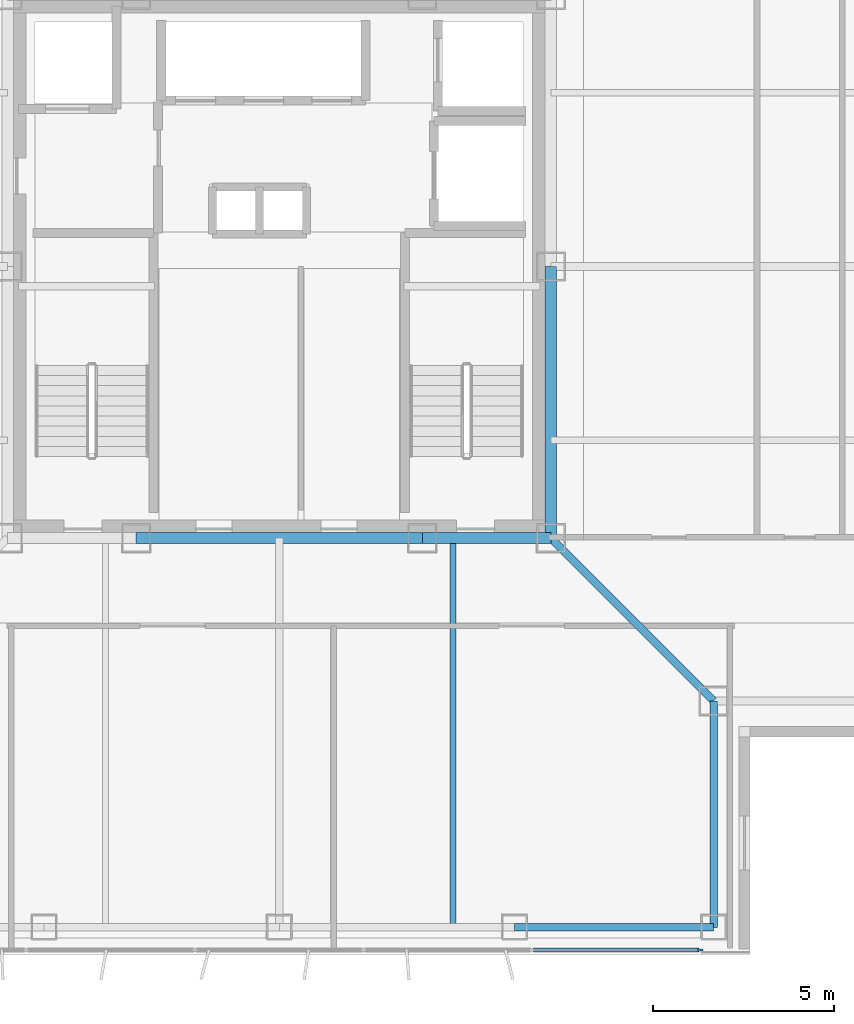
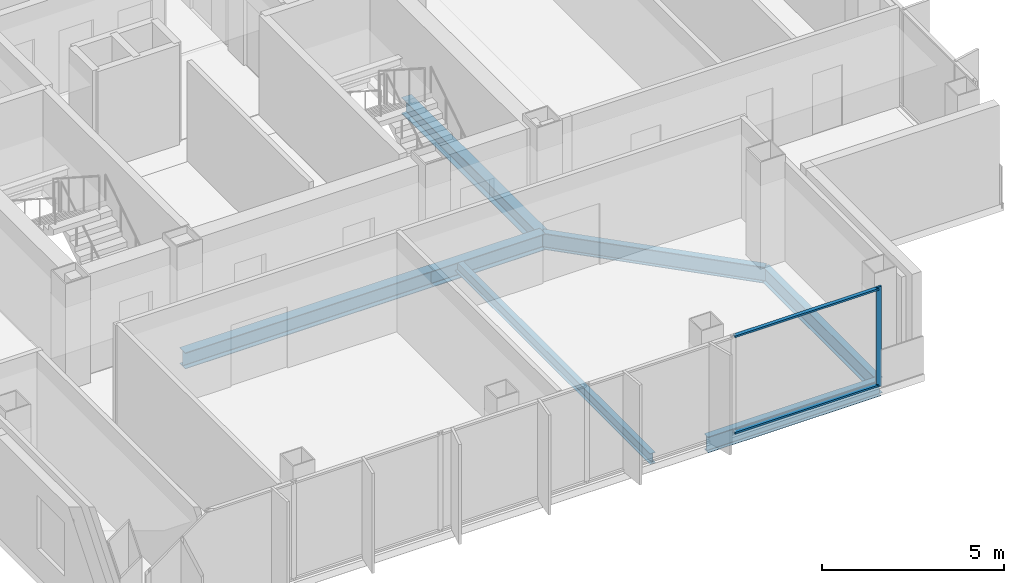
# One storey, part 3 of 15: 7 beams, 3 members, 1 element without a shape of its own.
"""IFC4 building model written with IfcOpenShell, lengths in metres."""

from ifc_helpers import new_model, si_unit, direction, frame, origin, origin_2d, place, context, subcontext, project, spatial, rectangle, i_section, extrude, material, layer, layer_set, material_profile, profile_set, type_object, element, aggregate, save


model = new_model("IFC4")

# Units and contexts
model_context = context("Model", 3, precision=1e-05, world=origin(), true_north=direction((0.0, 1.0)))
body_context = subcontext(model_context, "Body", "Model", "MODEL_VIEW")
ifc_project = project(units=[si_unit("LENGTHUNIT", "METRE"), si_unit("AREAUNIT", "SQUARE_METRE"), si_unit("VOLUMEUNIT", "CUBIC_METRE"), si_unit("PLANEANGLEUNIT", "RADIAN"), si_unit("MASSUNIT", "GRAM", prefix="KILO")], contexts=[model_context])

# Site, building, storey
site_placement = place(None, origin())
site = spatial("IfcSite", under=ifc_project, at=site_placement, CompositionType="ELEMENT")
building_placement = place(site_placement, origin())
building = spatial("IfcBuilding", under=site, at=building_placement, Name="Trevonay Congress Spire", CompositionType="ELEMENT")
storey_placement = place(building_placement, frame((0.0, 0.0, 272.0)))
storey = spatial("IfcBuildingStorey", under=building, at=storey_placement, Name="L71", CompositionType="ELEMENT", Elevation=272.0)

# Beams
ifc_material_1 = material(Name="Steel ASTM A572 Grade 50", Category="steel")
ifc_material_profile_1 = material_profile(ifc_material_1, i_section(OverallWidth=0.2119140625, OverallDepth=0.5439453125, WebThickness=0.01318359375, FlangeThickness=0.021240234375, FilletRadius=0.014892578125, at=origin_2d()), Name="W530x123")
ifc_profile_set_1 = profile_set([ifc_material_profile_1], Name="Steel ASTM A572 Grade 50")
beam_type_1 = type_object("IfcBeamType", Name="BM-GIRD-W530X123", PredefinedType="BEAM", material=ifc_profile_set_1)
beam_1_placement = place(storey_placement, frame((7.5, -7.5, -0.511962890625), z_axis=(0.707106781187, -0.707106781187, 0.0), x_axis=(0.707106781187, 0.707106781187, 0.0)))
element("IfcBeam", 1, at=beam_1_placement, inside=storey, type_object=beam_type_1, Name="L71 structural beam BM-L71-CDSE", PredefinedType="BEAM", context=body_context, shape_type="SweptSolid", body=[
    extrude(i_section(OverallWidth=0.2119140625, OverallDepth=0.5439453125, WebThickness=0.01318359375, FlangeThickness=0.021240234375, FilletRadius=0.014892578125, at=origin_2d()), origin(), (0.0, 0.0, 1.0), 6.364013671875),
])
ifc_material_profile_2 = material_profile(ifc_material_1, i_section(OverallWidth=0.31201171875, OverallDepth=0.54296875, WebThickness=0.0126953125, FlangeThickness=0.020263671875, FilletRadius=0.014892578125, at=origin_2d()), Name="W530x150")
ifc_profile_set_2 = profile_set([ifc_material_profile_2], Name="Steel ASTM A572 Grade 50")
beam_type_2 = type_object("IfcBeamType", Name="BM-GIRD-W530X150", PredefinedType="BEAM", material=ifc_profile_set_2)
beam_2_placement = place(storey_placement, frame((-3.949951171875, -7.5, -0.511474609375), z_axis=(1.0, 0.0, 0.0), x_axis=(0.0, 1.0, 0.0)))
element("IfcBeam", 2, at=beam_2_placement, inside=storey, type_object=beam_type_2, Name="L71 structural beam BM-L71-CR-S2", PredefinedType="BEAM", context=body_context, shape_type="SweptSolid", body=[
    extrude(i_section(OverallWidth=0.31201171875, OverallDepth=0.54296875, WebThickness=0.0126953125, FlangeThickness=0.020263671875, FilletRadius=0.014892578125, at=origin_2d()), origin(), (0.0, 0.0, 1.0), 7.89990234375),
])
beam_3_placement = place(storey_placement, frame((3.949951171875, -7.5, -0.511474609375), z_axis=(1.0, 0.0, 0.0), x_axis=(0.0, 1.0, 0.0)))
element("IfcBeam", 3, at=beam_3_placement, inside=storey, type_object=beam_type_2, Name="L71 structural beam BM-L71-CR-S3", PredefinedType="BEAM", context=body_context, shape_type="SweptSolid", body=[
    extrude(i_section(OverallWidth=0.31201171875, OverallDepth=0.54296875, WebThickness=0.0126953125, FlangeThickness=0.020263671875, FilletRadius=0.014892578125, at=origin_2d()), origin(), (0.0, 0.0, 1.0), 3.550048828125),
])
beam_4_placement = place(storey_placement, frame((7.5, -7.5, -0.511474609375), z_axis=(0.0, 1.0, 0.0), x_axis=(-1.0, 0.0, 0.0)))
element("IfcBeam", 4, at=beam_4_placement, inside=storey, type_object=beam_type_2, Name="L71 structural beam BM-L71-CR-E1", PredefinedType="BEAM", context=body_context, shape_type="SweptSolid", body=[
    extrude(i_section(OverallWidth=0.31201171875, OverallDepth=0.54296875, WebThickness=0.0126953125, FlangeThickness=0.020263671875, FilletRadius=0.014892578125, at=origin_2d()), origin(), (0.0, 0.0, 1.0), 7.5),
])
ifc_material_profile_3 = material_profile(ifc_material_1, i_section(OverallWidth=0.208984375, OverallDepth=0.532958984375, WebThickness=0.01025390625, FlangeThickness=0.015625, FilletRadius=0.014892578125, at=origin_2d()), Name="W530x92")
ifc_profile_set_3 = profile_set([ifc_material_profile_3], Name="Steel ASTM A572 Grade 50")
beam_type_3 = type_object("IfcBeamType", Name="BM-RING-W530X92", PredefinedType="BEAM", material=ifc_profile_set_3)
beam_5_placement = place(storey_placement, frame((6.5, -18.25, -0.506591796875), z_axis=(1.0, 0.0, 0.0), x_axis=(0.0, 1.0, 0.0)))
element("IfcBeam", 5, at=beam_5_placement, inside=storey, type_object=beam_type_3, Name="L71 structural beam BM-L71-PS4", PredefinedType="BEAM", context=body_context, shape_type="SweptSolid", body=[
    extrude(i_section(OverallWidth=0.208984375, OverallDepth=0.532958984375, WebThickness=0.01025390625, FlangeThickness=0.015625, FilletRadius=0.014892578125, at=origin_2d()), origin(), (0.0, 0.0, 1.0), 5.5),
])
beam_6_placement = place(storey_placement, frame((12.0, -18.25, -0.506591796875), z_axis=(0.0, 1.0, 0.0), x_axis=(-1.0, 0.0, 0.0)))
element("IfcBeam", 6, at=beam_6_placement, inside=storey, type_object=beam_type_3, Name="L71 structural beam BM-L71-N1SE", PredefinedType="BEAM", context=body_context, shape_type="SweptSolid", body=[
    extrude(i_section(OverallWidth=0.208984375, OverallDepth=0.532958984375, WebThickness=0.01025390625, FlangeThickness=0.015625, FilletRadius=0.014892578125, at=origin_2d()), origin(), (0.0, 0.0, 1.0), 6.25),
])

# Curtain wall, members
ifc_material_2 = material(Name="Pale Anodised Aluminium EN AW-6063-T6", Category="aluminium")
ifc_layer = layer(ifc_material_2, 0.1650390625, Name="Pale Anodised Aluminium EN AW-6063-T6")
ifc_layer_set = layer_set([ifc_layer], Name="Pale Anodised Aluminium EN AW-6063-T6")
curtain_wall_type = type_object("IfcCurtainWallType", Name="CW-SYS05-DIPLOM-PALE-METAL", PredefinedType="NOTDEFINED", material=ifc_layer_set)
curtain_wall_placement = place(storey_placement, origin())
curtain_wall = element("IfcCurtainWall", 7, at=curtain_wall_placement, inside=storey, type_object=curtain_wall_type, Name="L71 S unitised curtain wall", PredefinedType="NOTDEFINED")
ifc_material_profile_4 = material_profile(ifc_material_2, rectangle(XDim=0.06005859375, YDim=0.159912109375, at=origin_2d()), Name="CW-MULLION-160-ALUMINIUM")
ifc_profile_set_4 = profile_set([ifc_material_profile_4], Name="Pale Anodised Aluminium EN AW-6063-T6")
member_type_1 = type_object("IfcMemberType", Name="CW-MULLION-160-ALUMINIUM", PredefinedType="MULLION", material=ifc_profile_set_4)
member_1_placement = place(storey_placement, frame((11.6201171875, -18.8798828125, 0.0), z_axis=(0.0, 0.0, 1.0), x_axis=(0.0, 1.0, 0.0)))
member_1 = element("IfcMember", 8, at=member_1_placement, type_object=member_type_1, Name="CW05 mullion 6", PredefinedType="MULLION", context=body_context, shape_type="SweptSolid", body=[
    extrude(rectangle(XDim=0.06005859375, YDim=0.159912109375, at=origin_2d()), origin(), (0.0, 0.0, 1.0), 3.360107421875),
])
ifc_material_profile_5 = material_profile(ifc_material_2, rectangle(XDim=0.1201171875, YDim=0.06005859375, at=origin_2d()), Name="CW-TRANSOM-120-ALUMINIUM")
ifc_profile_set_5 = profile_set([ifc_material_profile_5], Name="Pale Anodised Aluminium EN AW-6063-T6")
member_type_2 = type_object("IfcMemberType", Name="CW-TRANSOM-120-ALUMINIUM", PredefinedType="USERDEFINED", material=ifc_profile_set_5)
member_2_placement = place(storey_placement, frame((7.02001953125, -18.8798828125, 0.06005859375), z_axis=(1.0, 0.0, 0.0), x_axis=(0.0, 1.0, 0.0)))
member_2 = element("IfcMember", 9, at=member_2_placement, type_object=member_type_2, Name="CW05 transom 5.1", ObjectType="TRANSOM", PredefinedType="USERDEFINED", context=body_context, shape_type="SweptSolid", body=[
    extrude(rectangle(XDim=0.1201171875, YDim=0.06005859375, at=origin_2d()), origin(), (0.0, 0.0, 1.0), 4.570068359375),
])
member_3_placement = place(storey_placement, frame((7.02001953125, -18.8798828125, 3.300048828125), z_axis=(1.0, 0.0, 0.0), x_axis=(0.0, 1.0, 0.0)))
member_3 = element("IfcMember", 10, at=member_3_placement, type_object=member_type_2, Name="CW05 transom 5.2", ObjectType="TRANSOM", PredefinedType="USERDEFINED", context=body_context, shape_type="SweptSolid", body=[
    extrude(rectangle(XDim=0.1201171875, YDim=0.06005859375, at=origin_2d()), origin(), (0.0, 0.0, 1.0), 4.570068359375),
])
aggregate(curtain_wall, [member_1, member_2, member_3])

# Beam
ifc_material_profile_6 = material_profile(ifc_material_1, i_section(OverallWidth=0.172119140625, OverallDepth=0.35791015625, WebThickness=0.0078125, FlangeThickness=0.01318359375, FilletRadius=0.011962890625, at=origin_2d()), Name="W360x57.8")
ifc_profile_set_6 = profile_set([ifc_material_profile_6], Name="Steel ASTM A572 Grade 50")
beam_type_4 = type_object("IfcBeamType", Name="JS-COMP-W360X57", PredefinedType="JOIST", material=ifc_profile_set_6)
beam_7_placement = place(storey_placement, frame((4.800048828125, -18.25, -0.4189453125), z_axis=(0.0, 1.0, 0.0), x_axis=(-1.0, 0.0, 0.0)))
element("IfcBeam", 11, at=beam_7_placement, inside=storey, type_object=beam_type_4, Name="L71 structural beam JS-L71-NS-S3", PredefinedType="JOIST", context=body_context, shape_type="SweptSolid", body=[
    extrude(i_section(OverallWidth=0.172119140625, OverallDepth=0.35791015625, WebThickness=0.0078125, FlangeThickness=0.01318359375, FilletRadius=0.011962890625, at=origin_2d()), origin(), (0.0, 0.0, 1.0), 10.75),
])

save(model, "model.ifc")
